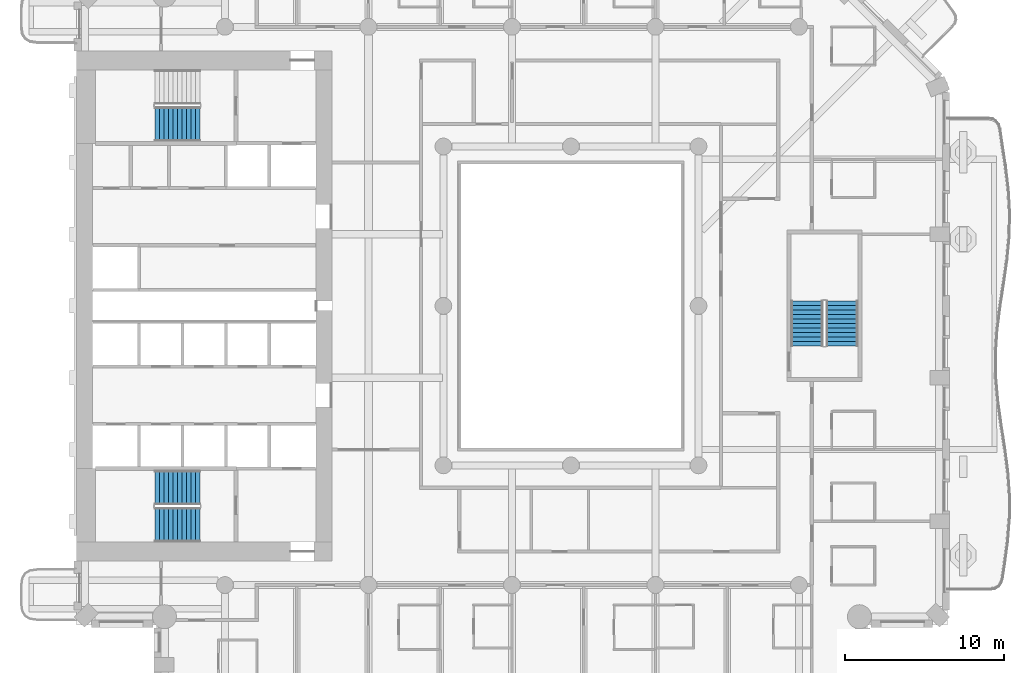
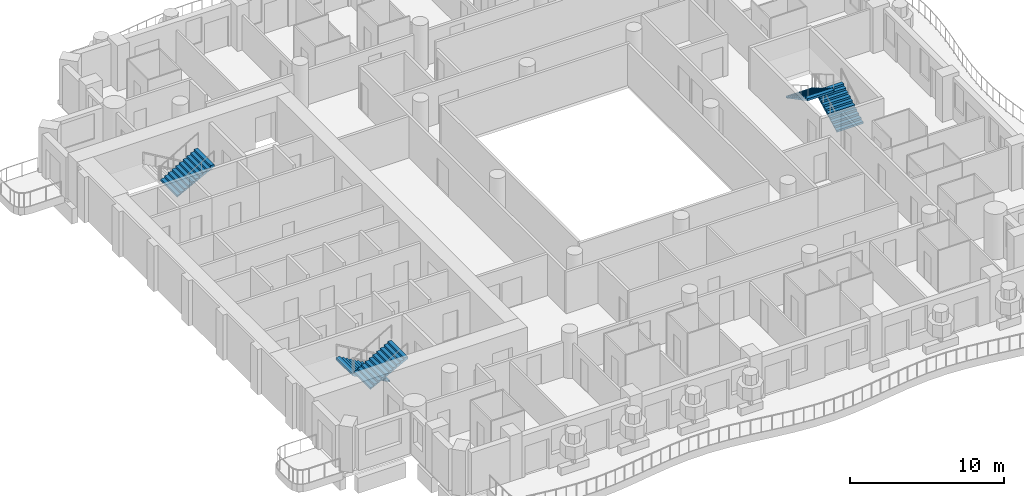
# One storey, part 11 of 20: 5 stair flights, 3 elements without a shape of their own.
"""IFC4 building model written with IfcOpenShell, lengths in metres."""

import ifcopenshell
import ifcopenshell.guid

model = None  # the IFC model being written
_history = None  # IfcOwnerHistory: only IFC2X3 demands one
_inside = {}  # id of a spatial element -> (the spatial element, [elements in it])
_under = {}  # id of a project, library or spatial element -> (it, [spatial elements below it])
_declared = {}  # id of a project -> (the project, [libraries it declares])
_typed = {}  # id of a type object -> (the type object, [elements of that type])
_made_of = {}  # id of a material, layer set ... -> (it, [elements and type objects made of it])


def new_model(schema):
    """Start an empty IFC model of exactly this schema.

    Asked for "IFC4X3", IfcOpenShell would pick the latest addendum, in which some entities
    have other attributes; the version numbers below select the first issue.
    IFC2X3 requires an IfcOwnerHistory on every rooted entity: one is made here for all.
    """
    global model, _history
    if schema == "IFC4X3":
        model = ifcopenshell.file(schema_version=(4, 3, 0, 0))
    else:
        model = ifcopenshell.file(schema=schema)
    _inside.clear()
    _under.clear()
    _declared.clear()
    _typed.clear()
    _made_of.clear()
    _history = None
    if model.schema == "IFC2X3":
        org = make("IfcOrganization", Name="unknown")
        user = make(
            "IfcPersonAndOrganization",
            ThePerson=make("IfcPerson", FamilyName="unknown"),
            TheOrganization=org,
        )
        app = make(
            "IfcApplication",
            ApplicationDeveloper=org,
            Version="unknown",
            ApplicationFullName="unknown",
            ApplicationIdentifier="unknown",
        )
        _history = make(
            "IfcOwnerHistory",
            OwningUser=user,
            OwningApplication=app,
            ChangeAction="ADDED",
            CreationDate=0,
        )
    return model


def make(cls, **values):
    """One entity of the class cls with the attributes given. An attribute that is None is left unset."""
    return model.create_entity(
        cls, **{name: value for name, value in values.items() if value is not None}
    )


def rooted(cls, **values):
    """An entity with a GlobalId (a new one), such as an element, a storey or a relation."""
    return make(cls, GlobalId=ifcopenshell.guid.new(), OwnerHistory=_history, **values)


def si_unit(unit_type, name, prefix=None):
    """IfcSIUnit, for example si_unit("LENGTHUNIT", "METRE", prefix="MILLI")."""
    return make("IfcSIUnit", UnitType=unit_type, Prefix=prefix, Name=name)


def assignment(units):
    """IfcUnitAssignment: the units of a project."""
    return None if units is None else make("IfcUnitAssignment", Units=units)


def point(xyz):
    """IfcCartesianPoint."""
    return None if xyz is None else make("IfcCartesianPoint", Coordinates=xyz)


def direction(xyz):
    """IfcDirection."""
    return None if xyz is None else make("IfcDirection", DirectionRatios=xyz)


def frame(location, z_axis=None, x_axis=None):
    """IfcAxis2Placement3D, a coordinate frame: its origin and axes. An axis left out is left unset."""
    return make(
        "IfcAxis2Placement3D",
        Location=point(location),
        Axis=direction(z_axis),
        RefDirection=direction(x_axis),
    )


def origin():
    """The frame at (0, 0, 0) with its axes left unset."""
    return frame((0.0, 0.0, 0.0))


def place(relative_to, where):
    """IfcLocalPlacement: puts the frame where relative to a parent placement (None: the world)."""
    return make(
        "IfcLocalPlacement", PlacementRelTo=relative_to, RelativePlacement=where
    )


def context(
    kind, dimensions, precision=None, world=None, true_north=None, identifier=None
):
    """IfcGeometricRepresentationContext, for example the 3D "Model" context."""
    return make(
        "IfcGeometricRepresentationContext",
        ContextIdentifier=identifier,
        ContextType=kind,
        CoordinateSpaceDimension=dimensions,
        Precision=precision,
        WorldCoordinateSystem=world,
        TrueNorth=true_north,
    )


def subcontext(parent, identifier, kind, view, scale=None):
    """IfcGeometricRepresentationSubContext, for example "Body" below "Model"."""
    return make(
        "IfcGeometricRepresentationSubContext",
        ContextIdentifier=identifier,
        ContextType=kind,
        ParentContext=parent,
        TargetScale=scale,
        TargetView=view,
    )


def project(units=None, contexts=None):
    """IfcProject with its units and contexts."""
    return rooted(
        "IfcProject",
        Name="project",
        RepresentationContexts=contexts,
        UnitsInContext=assignment(units),
    )


def spatial(cls, under=None, at=None, **own):
    """A site, building, storey or space (cls), placed at a placement, below another one or the project."""
    s = rooted(cls, ObjectPlacement=at, **own)
    if under is not None:
        _under.setdefault(under.id(), (under, []))[1].append(s)
    return s


def point_list(points):
    """IfcCartesianPointList2D or 3D."""
    cls = (
        "IfcCartesianPointList2D" if len(points[0]) == 2 else "IfcCartesianPointList3D"
    )
    return make(cls, CoordList=points)


def triangles(points, corners, closed=None, point_numbers=None):
    """IfcTriangulatedFaceSet: each triangle names its three corners, points numbered from 1."""
    return make(
        "IfcTriangulatedFaceSet",
        Coordinates=point_list(points),
        Closed=closed,
        CoordIndex=corners,
        PnIndex=point_numbers,
    )


def shape(context_of_items, identifier, shape_type, items):
    """IfcShapeRepresentation: the items that make up one representation, for example the "Body"."""
    return make(
        "IfcShapeRepresentation",
        ContextOfItems=context_of_items,
        RepresentationIdentifier=identifier,
        RepresentationType=shape_type,
        Items=items,
    )


def material(Name=None, Category=None):
    """IfcMaterial."""
    return make("IfcMaterial", Name=Name, Category=Category)


def made_of(thing, what):
    """Note that an element or type object is made of a material, layer set ...; save() writes the relation."""
    if what is not None:
        _made_of.setdefault(what.id(), (what, []))[1].append(thing)
    return thing


def type_object(cls, material=None, **own):
    """A type object (cls), such as IfcWallType, which elements share."""
    return made_of(rooted(cls, **own), material)


def element(
    cls,
    number,
    at=None,
    inside=None,
    cuts=None,
    type_object=None,
    material=None,
    context=None,
    identifier="Body",
    shape_type=None,
    held_by="IfcProductDefinitionShape",
    body=None,
    shapes=None,
    **own,
):
    """One element of the class cls, such as IfcWall. Its Tag is "e" and its number.

    at: its placement. inside: the storey or other place that contains it. cuts: it is an
    opening in that element (IfcRelVoidsElement). A single representation is given by context,
    identifier, shape_type and body (its items); several are given by shapes. held_by: the class
    of the entity that holds the representations. save() writes the other relations.
    """
    e = rooted(cls, Tag="e%d" % number, ObjectPlacement=at, **own)
    if body is not None:
        shapes = [shape(context, identifier, shape_type, body)]
    if shapes is not None:
        e.Representation = make(held_by, Representations=shapes)
    if inside is not None:
        _inside.setdefault(inside.id(), (inside, []))[1].append(e)
    if cuts is not None:
        rooted(
            "IfcRelVoidsElement", RelatingBuildingElement=cuts, RelatedOpeningElement=e
        )
    if type_object is not None:
        _typed.setdefault(type_object.id(), (type_object, []))[1].append(e)
    return made_of(e, material)


def aggregate(whole, parts):
    """IfcRelAggregates: a whole, such as a stair, and the parts it consists of."""
    return rooted("IfcRelAggregates", RelatingObject=whole, RelatedObjects=parts)


def save(model, path):
    """Write the relations noted so far, then the file.

    IfcRelAggregates (storeys below a building ...), IfcRelContainedInSpatialStructure (elements
    in a storey), IfcRelDefinesByType, IfcRelAssociatesMaterial and IfcRelDeclares: one each for
    every whole, place, type object, material and project.
    """
    for whole, parts in _under.values():
        aggregate(whole, parts)
    for where, things in _inside.values():
        rooted(
            "IfcRelContainedInSpatialStructure",
            RelatedElements=things,
            RelatingStructure=where,
        )
    for kind, things in _typed.values():
        rooted("IfcRelDefinesByType", RelatedObjects=things, RelatingType=kind)
    for what, things in _made_of.values():
        rooted("IfcRelAssociatesMaterial", RelatedObjects=things, RelatingMaterial=what)
    for by, libraries in _declared.values():
        rooted("IfcRelDeclares", RelatingContext=by, RelatedDefinitions=libraries)
    model.write(path)


model = new_model("IFC4")

# Units and contexts
model_context = context("Model", 3, precision=1e-05, world=origin(), true_north=direction((0.0, 1.0)))
body_context = subcontext(model_context, "Body", "Model", "MODEL_VIEW")
ifc_project = project(units=[si_unit("LENGTHUNIT", "METRE"), si_unit("AREAUNIT", "SQUARE_METRE"), si_unit("VOLUMEUNIT", "CUBIC_METRE"), si_unit("PLANEANGLEUNIT", "RADIAN"), si_unit("MASSUNIT", "GRAM", prefix="KILO")], contexts=[model_context])

# Site, building, storey
site_placement = place(None, origin())
site = spatial("IfcSite", under=ifc_project, at=site_placement, CompositionType="ELEMENT")
building_placement = place(site_placement, origin())
building = spatial("IfcBuilding", under=site, at=building_placement, Name="Cypress Arch Tower", CompositionType="ELEMENT")
storey_placement = place(building_placement, frame((0.0, 0.0, 113.10009765625)))
storey = spatial("IfcBuildingStorey", under=building, at=storey_placement, Name="L23", CompositionType="ELEMENT", Elevation=113.10009765625)

# Stair, stair flights
ifc_material_1 = material(Name="Concrete C40/50", Category="concrete")
stair_type_1 = type_object("IfcStairType", Name="Exit stair ES1636-200", PredefinedType="HALF_TURN_STAIR", material=ifc_material_1)
stair_1_placement = place(storey_placement, origin())
stair_1 = element("IfcStair", 1, at=stair_1_placement, inside=storey, type_object=stair_type_1, Name="L23 Exit stair C", PredefinedType="HALF_TURN_STAIR")
ifc_material_2 = material(Name="Concrete C40/50", Category="concrete")
stair_flight_type_1 = type_object("IfcStairFlightType", Name="Exit stair flight ES1636-200", PredefinedType="STRAIGHT", material=ifc_material_2)
stair_flight_1_placement = place(storey_placement, frame((18.0, -2.5, 0.0), z_axis=(0.0, 0.0, 1.0), x_axis=(0.0, 1.0, 0.0)))
stair_flight_1 = element("IfcStairFlight", 2, at=stair_flight_1_placement, type_object=stair_flight_type_1, Name="C flight 1", NumberOfRisers=11, NumberOfTreads=10, PredefinedType="STRAIGHT", RiserHeight=0.163636364, TreadLength=0.28, context=body_context, shape_type="Tessellation", body=[
    triangles([(0.0, -1.0, 0.0), (0.00048828125, -1.0, 0.054443359375), (0.00048828125, -1.0, 0.109130859375), (0.0, -1.0, 0.16357421875), (0.280029296875, -1.0, 0.16357421875), (0.280029296875, -1.0, 0.327392578125), (0.56005859375, -1.0, 0.327392578125), (0.56005859375, -1.0, 0.490966796875), (0.840087890625, -1.0, 0.490966796875), (0.840087890625, -1.0, 0.654541015625), (1.1201171875, -1.0, 0.654541015625), (1.1201171875, -1.0, 0.818115234375), (1.39990234375, -1.0, 0.818115234375), (1.39990234375, -1.0, 0.98193359375), (1.679931640625, -1.0, 0.98193359375), (1.679931640625, -1.0, 1.1455078125), (1.9599609375, -1.0, 1.1455078125), (1.9599609375, -1.0, 1.30908203125), (2.239990234375, -1.0, 1.30908203125), (2.239990234375, -1.0, 1.47265625), (2.52001953125, -1.0, 1.47265625), (2.52001953125, -1.0, 1.636474609375), (2.800048828125, -1.0, 1.636474609375), (2.799560546875, -1.0, 1.57861328125), (2.799560546875, -1.0, 1.5205078125), (2.800048828125, -1.0, 1.462646484375), (2.800048828125, 1.0, 1.462646484375), (2.799560546875, 1.0, 1.5205078125), (2.799560546875, 1.0, 1.57861328125), (2.800048828125, 1.0, 1.636474609375), (2.52001953125, 1.0, 1.636474609375), (2.52001953125, 1.0, 1.47265625), (2.239990234375, 1.0, 1.47265625), (2.239990234375, 1.0, 1.30908203125), (1.9599609375, 1.0, 1.30908203125), (1.9599609375, 1.0, 1.1455078125), (1.679931640625, 1.0, 1.1455078125), (1.679931640625, 1.0, 0.98193359375), (1.39990234375, 1.0, 0.98193359375), (1.39990234375, 1.0, 0.818115234375), (1.1201171875, 1.0, 0.818115234375), (1.1201171875, 1.0, 0.654541015625), (0.840087890625, 1.0, 0.654541015625), (0.840087890625, 1.0, 0.490966796875), (0.56005859375, 1.0, 0.490966796875), (0.56005859375, 1.0, 0.327392578125), (0.280029296875, 1.0, 0.327392578125), (0.280029296875, 1.0, 0.16357421875), (0.0, 1.0, 0.16357421875), (0.00048828125, 1.0, 0.109130859375), (0.00048828125, 1.0, 0.054443359375), (0.0, 1.0, 0.0), (2.799560546875, 0.0, 1.5205078125), (2.800048828125, 0.0, 1.462646484375), (2.799560546875, 0.0, 1.57861328125), (2.800048828125, 0.0, 1.636474609375), (2.52001953125, 0.0, 1.636474609375), (2.52001953125, 0.0, 1.47265625), (2.239990234375, 0.0, 1.47265625), (2.239990234375, 0.0, 1.30908203125), (1.9599609375, 0.0, 1.30908203125), (1.9599609375, 0.0, 1.1455078125), (1.679931640625, 0.0, 1.1455078125), (1.679931640625, 0.0, 0.98193359375), (1.39990234375, 0.0, 0.98193359375), (1.39990234375, 0.0, 0.818115234375), (1.1201171875, 0.0, 0.818115234375), (1.1201171875, 0.0, 0.654541015625), (0.840087890625, 0.0, 0.654541015625), (0.840087890625, 0.0, 0.490966796875), (0.56005859375, 0.0, 0.490966796875), (0.56005859375, 0.0, 0.327392578125), (0.280029296875, 0.0, 0.327392578125), (0.280029296875, 0.0, 0.16357421875), (0.0, 0.0, 0.16357421875), (0.00048828125, 0.0, 0.109130859375), (0.00048828125, 0.0, 0.054443359375), (0.0, 0.0, 0.0)], [[26, 25, 22], [25, 24, 22], [24, 23, 22], [15, 14, 13], [7, 6, 5], [13, 12, 11], [21, 20, 19], [19, 18, 17], [17, 16, 15], [11, 10, 9], [9, 8, 7], [4, 3, 5], [3, 2, 5], [2, 1, 5], [26, 22, 21], [26, 21, 19], [26, 19, 17], [26, 17, 15], [26, 15, 13], [26, 13, 11], [26, 11, 9], [26, 9, 7], [26, 7, 5], [26, 5, 1], [27, 31, 28], [28, 31, 29], [29, 31, 30], [38, 40, 39], [46, 48, 47], [40, 42, 41], [32, 34, 33], [34, 36, 35], [36, 38, 37], [42, 44, 43], [44, 46, 45], [49, 48, 50], [50, 48, 51], [51, 48, 52], [27, 32, 31], [27, 34, 32], [27, 36, 34], [27, 38, 36], [27, 40, 38], [27, 42, 40], [27, 44, 42], [27, 46, 44], [27, 48, 46], [27, 52, 48], [54, 53, 25], [54, 25, 26], [27, 28, 53], [27, 53, 54], [53, 55, 24], [53, 24, 25], [28, 29, 55], [28, 55, 53], [55, 56, 23], [55, 23, 24], [29, 30, 56], [29, 56, 55], [56, 57, 22], [56, 22, 23], [30, 31, 57], [30, 57, 56], [57, 58, 21], [57, 21, 22], [31, 32, 58], [31, 58, 57], [58, 59, 20], [58, 20, 21], [32, 33, 59], [32, 59, 58], [59, 60, 19], [59, 19, 20], [33, 34, 60], [33, 60, 59], [60, 61, 18], [60, 18, 19], [34, 35, 61], [34, 61, 60], [61, 62, 17], [61, 17, 18], [35, 36, 62], [35, 62, 61], [62, 63, 16], [62, 16, 17], [36, 37, 63], [36, 63, 62], [63, 64, 15], [63, 15, 16], [37, 38, 64], [37, 64, 63], [64, 65, 14], [64, 14, 15], [38, 39, 65], [38, 65, 64], [65, 66, 13], [65, 13, 14], [39, 40, 66], [39, 66, 65], [66, 67, 12], [66, 12, 13], [40, 41, 67], [40, 67, 66], [67, 68, 11], [67, 11, 12], [41, 42, 68], [41, 68, 67], [68, 69, 10], [68, 10, 11], [42, 43, 69], [42, 69, 68], [69, 70, 9], [69, 9, 10], [43, 44, 70], [43, 70, 69], [70, 71, 8], [70, 8, 9], [44, 45, 71], [44, 71, 70], [71, 72, 7], [71, 7, 8], [45, 46, 72], [45, 72, 71], [72, 73, 6], [72, 6, 7], [46, 47, 73], [46, 73, 72], [73, 74, 5], [73, 5, 6], [47, 48, 74], [47, 74, 73], [74, 75, 4], [74, 4, 5], [48, 49, 75], [48, 75, 74], [75, 76, 3], [75, 3, 4], [49, 50, 76], [49, 76, 75], [76, 77, 2], [76, 2, 3], [50, 51, 77], [50, 77, 76], [77, 78, 1], [77, 1, 2], [51, 52, 78], [51, 78, 77], [78, 54, 26], [78, 26, 1], [52, 27, 54], [52, 54, 78]], closed=True),
])
stair_flight_2_placement = place(storey_placement, frame((15.800048828125, 0.300048828125, 1.7998046875), z_axis=(0.0, 0.0, 1.0), x_axis=(0.0, -1.0, 0.0)))
stair_flight_2 = element("IfcStairFlight", 3, at=stair_flight_2_placement, type_object=stair_flight_type_1, Name="C flight 2", NumberOfRisers=11, NumberOfTreads=10, PredefinedType="STRAIGHT", RiserHeight=0.163636364, TreadLength=0.28, context=body_context, shape_type="Tessellation", body=[
    triangles([(0.0, -1.0, 0.0), (0.00048828125, -1.0, 0.054443359375), (0.00048828125, -1.0, 0.109130859375), (0.0, -1.0, 0.16357421875), (0.280029296875, -1.0, 0.16357421875), (0.280029296875, -1.0, 0.327392578125), (0.56005859375, -1.0, 0.327392578125), (0.56005859375, -1.0, 0.490966796875), (0.840087890625, -1.0, 0.490966796875), (0.840087890625, -1.0, 0.654541015625), (1.1201171875, -1.0, 0.654541015625), (1.1201171875, -1.0, 0.818115234375), (1.39990234375, -1.0, 0.818115234375), (1.39990234375, -1.0, 0.98193359375), (1.679931640625, -1.0, 0.98193359375), (1.679931640625, -1.0, 1.1455078125), (1.9599609375, -1.0, 1.1455078125), (1.9599609375, -1.0, 1.30908203125), (2.239990234375, -1.0, 1.30908203125), (2.239990234375, -1.0, 1.47265625), (2.52001953125, -1.0, 1.47265625), (2.52001953125, -1.0, 1.636474609375), (2.800048828125, -1.0, 1.636474609375), (2.799560546875, -1.0, 1.57861328125), (2.799560546875, -1.0, 1.5205078125), (2.800048828125, -1.0, 1.462646484375), (2.800048828125, 1.0, 1.462646484375), (2.799560546875, 1.0, 1.5205078125), (2.799560546875, 1.0, 1.57861328125), (2.800048828125, 1.0, 1.636474609375), (2.52001953125, 1.0, 1.636474609375), (2.52001953125, 1.0, 1.47265625), (2.239990234375, 1.0, 1.47265625), (2.239990234375, 1.0, 1.30908203125), (1.9599609375, 1.0, 1.30908203125), (1.9599609375, 1.0, 1.1455078125), (1.679931640625, 1.0, 1.1455078125), (1.679931640625, 1.0, 0.98193359375), (1.39990234375, 1.0, 0.98193359375), (1.39990234375, 1.0, 0.818115234375), (1.1201171875, 1.0, 0.818115234375), (1.1201171875, 1.0, 0.654541015625), (0.840087890625, 1.0, 0.654541015625), (0.840087890625, 1.0, 0.490966796875), (0.56005859375, 1.0, 0.490966796875), (0.56005859375, 1.0, 0.327392578125), (0.280029296875, 1.0, 0.327392578125), (0.280029296875, 1.0, 0.16357421875), (0.0, 1.0, 0.16357421875), (0.00048828125, 1.0, 0.109130859375), (0.00048828125, 1.0, 0.054443359375), (0.0, 1.0, 0.0), (2.799560546875, 0.0, 1.5205078125), (2.800048828125, 0.0, 1.462646484375), (2.799560546875, 0.0, 1.57861328125), (2.800048828125, 0.0, 1.636474609375), (2.52001953125, 0.0, 1.636474609375), (2.52001953125, 0.0, 1.47265625), (2.239990234375, 0.0, 1.47265625), (2.239990234375, 0.0, 1.30908203125), (1.9599609375, 0.0, 1.30908203125), (1.9599609375, 0.0, 1.1455078125), (1.679931640625, 0.0, 1.1455078125), (1.679931640625, 0.0, 0.98193359375), (1.39990234375, 0.0, 0.98193359375), (1.39990234375, 0.0, 0.818115234375), (1.1201171875, 0.0, 0.818115234375), (1.1201171875, 0.0, 0.654541015625), (0.840087890625, 0.0, 0.654541015625), (0.840087890625, 0.0, 0.490966796875), (0.56005859375, 0.0, 0.490966796875), (0.56005859375, 0.0, 0.327392578125), (0.280029296875, 0.0, 0.327392578125), (0.280029296875, 0.0, 0.16357421875), (0.0, 0.0, 0.16357421875), (0.00048828125, 0.0, 0.109130859375), (0.00048828125, 0.0, 0.054443359375), (0.0, 0.0, 0.0)], [[26, 25, 22], [25, 24, 22], [24, 23, 22], [15, 14, 13], [7, 6, 5], [13, 12, 11], [21, 20, 19], [19, 18, 17], [17, 16, 15], [11, 10, 9], [9, 8, 7], [4, 3, 5], [3, 2, 5], [2, 1, 5], [26, 22, 21], [26, 21, 19], [26, 19, 17], [26, 17, 15], [26, 15, 13], [26, 13, 11], [26, 11, 9], [26, 9, 7], [26, 7, 5], [26, 5, 1], [27, 31, 28], [28, 31, 29], [29, 31, 30], [38, 40, 39], [46, 48, 47], [40, 42, 41], [32, 34, 33], [34, 36, 35], [36, 38, 37], [42, 44, 43], [44, 46, 45], [49, 48, 50], [50, 48, 51], [51, 48, 52], [27, 32, 31], [27, 34, 32], [27, 36, 34], [27, 38, 36], [27, 40, 38], [27, 42, 40], [27, 44, 42], [27, 46, 44], [27, 48, 46], [27, 52, 48], [54, 53, 25], [54, 25, 26], [27, 28, 53], [27, 53, 54], [53, 55, 24], [53, 24, 25], [28, 29, 55], [28, 55, 53], [55, 56, 23], [55, 23, 24], [29, 30, 56], [29, 56, 55], [56, 57, 22], [56, 22, 23], [30, 31, 57], [30, 57, 56], [57, 58, 21], [57, 21, 22], [31, 32, 58], [31, 58, 57], [58, 59, 20], [58, 20, 21], [32, 33, 59], [32, 59, 58], [59, 60, 19], [59, 19, 20], [33, 34, 60], [33, 60, 59], [60, 61, 18], [60, 18, 19], [34, 35, 61], [34, 61, 60], [61, 62, 17], [61, 17, 18], [35, 36, 62], [35, 62, 61], [62, 63, 16], [62, 16, 17], [36, 37, 63], [36, 63, 62], [63, 64, 15], [63, 15, 16], [37, 38, 64], [37, 64, 63], [64, 65, 14], [64, 14, 15], [38, 39, 65], [38, 65, 64], [65, 66, 13], [65, 13, 14], [39, 40, 66], [39, 66, 65], [66, 67, 12], [66, 12, 13], [40, 41, 67], [40, 67, 66], [67, 68, 11], [67, 11, 12], [41, 42, 68], [41, 68, 67], [68, 69, 10], [68, 10, 11], [42, 43, 69], [42, 69, 68], [69, 70, 9], [69, 9, 10], [43, 44, 70], [43, 70, 69], [70, 71, 8], [70, 8, 9], [44, 45, 71], [44, 71, 70], [71, 72, 7], [71, 7, 8], [45, 46, 72], [45, 72, 71], [72, 73, 6], [72, 6, 7], [46, 47, 73], [46, 73, 72], [73, 74, 5], [73, 5, 6], [47, 48, 74], [47, 74, 73], [74, 75, 4], [74, 4, 5], [48, 49, 75], [48, 75, 74], [75, 76, 3], [75, 3, 4], [49, 50, 76], [49, 76, 75], [76, 77, 2], [76, 2, 3], [50, 51, 77], [50, 77, 76], [77, 78, 1], [77, 1, 2], [51, 52, 78], [51, 78, 77], [78, 54, 26], [78, 26, 1], [52, 27, 54], [52, 54, 78]], closed=True),
])
aggregate(stair_1, [stair_flight_1, stair_flight_2])

ifc_material_3 = material(Name="Concrete C40/50", Category="concrete")
stair_type_2 = type_object("IfcStairType", Name="Exit stair ES1636-215", PredefinedType="HALF_TURN_STAIR", material=ifc_material_3)
stair_2_placement = place(storey_placement, origin())
stair_2 = element("IfcStair", 4, at=stair_2_placement, inside=storey, type_object=stair_type_2, Name="L23 Exit stair A", PredefinedType="HALF_TURN_STAIR")
ifc_material_4 = material(Name="Concrete C40/50", Category="concrete")
stair_flight_type_2 = type_object("IfcStairFlightType", Name="Exit stair flight ES1636-215", PredefinedType="STRAIGHT", material=ifc_material_4)
stair_flight_3_placement = place(storey_placement, frame((-22.27490234375, -11.39990234375, 0.0), z_axis=(0.0, 0.0, 1.0), x_axis=(-1.0, 0.0, 0.0)))
stair_flight_3 = element("IfcStairFlight", 5, at=stair_flight_3_placement, type_object=stair_flight_type_2, Name="A flight 1", NumberOfRisers=11, NumberOfTreads=10, PredefinedType="STRAIGHT", RiserHeight=0.163636364, TreadLength=0.28, context=body_context, shape_type="Tessellation", body=[
    triangles([(0.0, -1.074951171875, 0.0), (0.000244140625, -1.074951171875, 0.03271484375), (0.00048828125, -1.074951171875, 0.0654296875), (0.00048828125, -1.074951171875, 0.09814453125), (0.000244140625, -1.074951171875, 0.130859375), (0.0, -1.074951171875, 0.16357421875), (0.280029296875, -1.074951171875, 0.16357421875), (0.280029296875, -1.074951171875, 0.327392578125), (0.56005859375, -1.074951171875, 0.327392578125), (0.56005859375, -1.074951171875, 0.490966796875), (0.840087890625, -1.074951171875, 0.490966796875), (0.840087890625, -1.074951171875, 0.654541015625), (1.1201171875, -1.074951171875, 0.654541015625), (1.1201171875, -1.074951171875, 0.818115234375), (1.39990234375, -1.074951171875, 0.818115234375), (1.39990234375, -1.074951171875, 0.98193359375), (1.679931640625, -1.074951171875, 0.98193359375), (1.679931640625, -1.074951171875, 1.1455078125), (1.9599609375, -1.074951171875, 1.1455078125), (1.9599609375, -1.074951171875, 1.30908203125), (2.239990234375, -1.074951171875, 1.30908203125), (2.239990234375, -1.074951171875, 1.47265625), (2.52001953125, -1.074951171875, 1.47265625), (2.52001953125, -1.074951171875, 1.636474609375), (2.800048828125, -1.074951171875, 1.636474609375), (2.7998046875, -1.074951171875, 1.601806640625), (2.799560546875, -1.074951171875, 1.56689453125), (2.799560546875, -1.074951171875, 1.5322265625), (2.7998046875, -1.074951171875, 1.497314453125), (2.800048828125, -1.074951171875, 1.462646484375), (2.800048828125, 1.074951171875, 1.462646484375), (2.7998046875, 1.074951171875, 1.497314453125), (2.799560546875, 1.074951171875, 1.5322265625), (2.799560546875, 1.074951171875, 1.56689453125), (2.7998046875, 1.074951171875, 1.601806640625), (2.800048828125, 1.074951171875, 1.636474609375), (2.52001953125, 1.074951171875, 1.636474609375), (2.52001953125, 1.074951171875, 1.47265625), (2.239990234375, 1.074951171875, 1.47265625), (2.239990234375, 1.074951171875, 1.30908203125), (1.9599609375, 1.074951171875, 1.30908203125), (1.9599609375, 1.074951171875, 1.1455078125), (1.679931640625, 1.074951171875, 1.1455078125), (1.679931640625, 1.074951171875, 0.98193359375), (1.39990234375, 1.074951171875, 0.98193359375), (1.39990234375, 1.074951171875, 0.818115234375), (1.1201171875, 1.074951171875, 0.818115234375), (1.1201171875, 1.074951171875, 0.654541015625), (0.840087890625, 1.074951171875, 0.654541015625), (0.840087890625, 1.074951171875, 0.490966796875), (0.56005859375, 1.074951171875, 0.490966796875), (0.56005859375, 1.074951171875, 0.327392578125), (0.280029296875, 1.074951171875, 0.327392578125), (0.280029296875, 1.074951171875, 0.16357421875), (0.0, 1.074951171875, 0.16357421875), (0.000244140625, 1.074951171875, 0.130859375), (0.00048828125, 1.074951171875, 0.09814453125), (0.00048828125, 1.074951171875, 0.0654296875), (0.000244140625, 1.074951171875, 0.03271484375), (0.0, 1.074951171875, 0.0), (2.7998046875, 0.0, 1.497314453125), (2.800048828125, 0.0, 1.462646484375), (2.799560546875, 0.0, 1.5322265625), (2.799560546875, 0.0, 1.56689453125), (2.7998046875, 0.0, 1.601806640625), (2.800048828125, 0.0, 1.636474609375), (2.52001953125, 0.0, 1.636474609375), (2.52001953125, 0.0, 1.47265625), (2.239990234375, 0.0, 1.47265625), (2.239990234375, 0.0, 1.30908203125), (1.9599609375, 0.0, 1.30908203125), (1.9599609375, 0.0, 1.1455078125), (1.679931640625, 0.0, 1.1455078125), (1.679931640625, 0.0, 0.98193359375), (1.39990234375, 0.0, 0.98193359375), (1.39990234375, 0.0, 0.818115234375), (1.1201171875, 0.0, 0.818115234375), (1.1201171875, 0.0, 0.654541015625), (0.840087890625, 0.0, 0.654541015625), (0.840087890625, 0.0, 0.490966796875), (0.56005859375, 0.0, 0.490966796875), (0.56005859375, 0.0, 0.327392578125), (0.280029296875, 0.0, 0.327392578125), (0.280029296875, 0.0, 0.16357421875), (0.0, 0.0, 0.16357421875), (0.000244140625, 0.0, 0.130859375), (0.00048828125, 0.0, 0.09814453125), (0.00048828125, 0.0, 0.0654296875), (0.000244140625, 0.0, 0.03271484375), (0.0, 0.0, 0.0)], [[30, 29, 24], [29, 28, 24], [28, 27, 24], [27, 26, 24], [26, 25, 24], [17, 16, 15], [9, 8, 7], [15, 14, 13], [23, 22, 21], [21, 20, 19], [19, 18, 17], [13, 12, 11], [11, 10, 9], [6, 5, 7], [5, 4, 7], [4, 3, 7], [3, 2, 7], [2, 1, 7], [30, 24, 23], [30, 23, 21], [30, 21, 19], [30, 19, 17], [30, 17, 15], [30, 15, 13], [30, 13, 11], [30, 11, 9], [30, 9, 7], [30, 7, 1], [31, 37, 32], [32, 37, 33], [33, 37, 34], [34, 37, 35], [35, 37, 36], [44, 46, 45], [52, 54, 53], [46, 48, 47], [38, 40, 39], [40, 42, 41], [42, 44, 43], [48, 50, 49], [50, 52, 51], [55, 54, 56], [56, 54, 57], [57, 54, 58], [58, 54, 59], [59, 54, 60], [31, 38, 37], [31, 40, 38], [31, 42, 40], [31, 44, 42], [31, 46, 44], [31, 48, 46], [31, 50, 48], [31, 52, 50], [31, 54, 52], [31, 60, 54], [62, 61, 29], [62, 29, 30], [31, 32, 61], [31, 61, 62], [61, 63, 28], [61, 28, 29], [32, 33, 63], [32, 63, 61], [63, 64, 27], [63, 27, 28], [33, 34, 64], [33, 64, 63], [64, 65, 26], [64, 26, 27], [34, 35, 65], [34, 65, 64], [65, 66, 25], [65, 25, 26], [35, 36, 66], [35, 66, 65], [66, 67, 24], [66, 24, 25], [36, 37, 67], [36, 67, 66], [67, 68, 23], [67, 23, 24], [37, 38, 68], [37, 68, 67], [68, 69, 22], [68, 22, 23], [38, 39, 69], [38, 69, 68], [69, 70, 21], [69, 21, 22], [39, 40, 70], [39, 70, 69], [70, 71, 20], [70, 20, 21], [40, 41, 71], [40, 71, 70], [71, 72, 19], [71, 19, 20], [41, 42, 72], [41, 72, 71], [72, 73, 18], [72, 18, 19], [42, 43, 73], [42, 73, 72], [73, 74, 17], [73, 17, 18], [43, 44, 74], [43, 74, 73], [74, 75, 16], [74, 16, 17], [44, 45, 75], [44, 75, 74], [75, 76, 15], [75, 15, 16], [45, 46, 76], [45, 76, 75], [76, 77, 14], [76, 14, 15], [46, 47, 77], [46, 77, 76], [77, 78, 13], [77, 13, 14], [47, 48, 78], [47, 78, 77], [78, 79, 12], [78, 12, 13], [48, 49, 79], [48, 79, 78], [79, 80, 11], [79, 11, 12], [49, 50, 80], [49, 80, 79], [80, 81, 10], [80, 10, 11], [50, 51, 81], [50, 81, 80], [81, 82, 9], [81, 9, 10], [51, 52, 82], [51, 82, 81], [82, 83, 8], [82, 8, 9], [52, 53, 83], [52, 83, 82], [83, 84, 7], [83, 7, 8], [53, 54, 84], [53, 84, 83], [84, 85, 6], [84, 6, 7], [54, 55, 85], [54, 85, 84], [85, 86, 5], [85, 5, 6], [55, 56, 86], [55, 86, 85], [86, 87, 4], [86, 4, 5], [56, 57, 87], [56, 87, 86], [87, 88, 3], [87, 3, 4], [57, 58, 88], [57, 88, 87], [88, 89, 2], [88, 2, 3], [58, 59, 89], [58, 89, 88], [89, 90, 1], [89, 1, 2], [59, 60, 90], [59, 90, 89], [90, 62, 30], [90, 30, 1], [60, 31, 62], [60, 62, 90]], closed=True),
])
stair_flight_4_placement = place(storey_placement, frame((-25.074951171875, -13.72509765625, 1.7998046875), z_axis=(0.0, 0.0, 1.0), x_axis=(1.0, 0.0, 0.0)))
stair_flight_4 = element("IfcStairFlight", 6, at=stair_flight_4_placement, type_object=stair_flight_type_2, Name="A flight 2", NumberOfRisers=11, NumberOfTreads=10, PredefinedType="STRAIGHT", RiserHeight=0.163636364, TreadLength=0.28, context=body_context, shape_type="Tessellation", body=[
    triangles([(0.0, -1.074951171875, 0.0), (0.000244140625, -1.074951171875, 0.03271484375), (0.00048828125, -1.074951171875, 0.0654296875), (0.00048828125, -1.074951171875, 0.09814453125), (0.000244140625, -1.074951171875, 0.130859375), (0.0, -1.074951171875, 0.16357421875), (0.280029296875, -1.074951171875, 0.16357421875), (0.280029296875, -1.074951171875, 0.327392578125), (0.56005859375, -1.074951171875, 0.327392578125), (0.56005859375, -1.074951171875, 0.490966796875), (0.840087890625, -1.074951171875, 0.490966796875), (0.840087890625, -1.074951171875, 0.654541015625), (1.1201171875, -1.074951171875, 0.654541015625), (1.1201171875, -1.074951171875, 0.818115234375), (1.39990234375, -1.074951171875, 0.818115234375), (1.39990234375, -1.074951171875, 0.98193359375), (1.679931640625, -1.074951171875, 0.98193359375), (1.679931640625, -1.074951171875, 1.1455078125), (1.9599609375, -1.074951171875, 1.1455078125), (1.9599609375, -1.074951171875, 1.30908203125), (2.239990234375, -1.074951171875, 1.30908203125), (2.239990234375, -1.074951171875, 1.47265625), (2.52001953125, -1.074951171875, 1.47265625), (2.52001953125, -1.074951171875, 1.636474609375), (2.800048828125, -1.074951171875, 1.636474609375), (2.7998046875, -1.074951171875, 1.601806640625), (2.799560546875, -1.074951171875, 1.56689453125), (2.799560546875, -1.074951171875, 1.5322265625), (2.7998046875, -1.074951171875, 1.497314453125), (2.800048828125, -1.074951171875, 1.462646484375), (2.800048828125, 1.074951171875, 1.462646484375), (2.7998046875, 1.074951171875, 1.497314453125), (2.799560546875, 1.074951171875, 1.5322265625), (2.799560546875, 1.074951171875, 1.56689453125), (2.7998046875, 1.074951171875, 1.601806640625), (2.800048828125, 1.074951171875, 1.636474609375), (2.52001953125, 1.074951171875, 1.636474609375), (2.52001953125, 1.074951171875, 1.47265625), (2.239990234375, 1.074951171875, 1.47265625), (2.239990234375, 1.074951171875, 1.30908203125), (1.9599609375, 1.074951171875, 1.30908203125), (1.9599609375, 1.074951171875, 1.1455078125), (1.679931640625, 1.074951171875, 1.1455078125), (1.679931640625, 1.074951171875, 0.98193359375), (1.39990234375, 1.074951171875, 0.98193359375), (1.39990234375, 1.074951171875, 0.818115234375), (1.1201171875, 1.074951171875, 0.818115234375), (1.1201171875, 1.074951171875, 0.654541015625), (0.840087890625, 1.074951171875, 0.654541015625), (0.840087890625, 1.074951171875, 0.490966796875), (0.56005859375, 1.074951171875, 0.490966796875), (0.56005859375, 1.074951171875, 0.327392578125), (0.280029296875, 1.074951171875, 0.327392578125), (0.280029296875, 1.074951171875, 0.16357421875), (0.0, 1.074951171875, 0.16357421875), (0.000244140625, 1.074951171875, 0.130859375), (0.00048828125, 1.074951171875, 0.09814453125), (0.00048828125, 1.074951171875, 0.0654296875), (0.000244140625, 1.074951171875, 0.03271484375), (0.0, 1.074951171875, 0.0), (2.7998046875, 0.0, 1.497314453125), (2.800048828125, 0.0, 1.462646484375), (2.799560546875, 0.0, 1.5322265625), (2.799560546875, 0.0, 1.56689453125), (2.7998046875, 0.0, 1.601806640625), (2.800048828125, 0.0, 1.636474609375), (2.52001953125, 0.0, 1.636474609375), (2.52001953125, 0.0, 1.47265625), (2.239990234375, 0.0, 1.47265625), (2.239990234375, 0.0, 1.30908203125), (1.9599609375, 0.0, 1.30908203125), (1.9599609375, 0.0, 1.1455078125), (1.679931640625, 0.0, 1.1455078125), (1.679931640625, 0.0, 0.98193359375), (1.39990234375, 0.0, 0.98193359375), (1.39990234375, 0.0, 0.818115234375), (1.1201171875, 0.0, 0.818115234375), (1.1201171875, 0.0, 0.654541015625), (0.840087890625, 0.0, 0.654541015625), (0.840087890625, 0.0, 0.490966796875), (0.56005859375, 0.0, 0.490966796875), (0.56005859375, 0.0, 0.327392578125), (0.280029296875, 0.0, 0.327392578125), (0.280029296875, 0.0, 0.16357421875), (0.0, 0.0, 0.16357421875), (0.000244140625, 0.0, 0.130859375), (0.00048828125, 0.0, 0.09814453125), (0.00048828125, 0.0, 0.0654296875), (0.000244140625, 0.0, 0.03271484375), (0.0, 0.0, 0.0)], [[30, 29, 24], [29, 28, 24], [28, 27, 24], [27, 26, 24], [26, 25, 24], [17, 16, 15], [9, 8, 7], [15, 14, 13], [23, 22, 21], [21, 20, 19], [19, 18, 17], [13, 12, 11], [11, 10, 9], [6, 5, 7], [5, 4, 7], [4, 3, 7], [3, 2, 7], [2, 1, 7], [30, 24, 23], [30, 23, 21], [30, 21, 19], [30, 19, 17], [30, 17, 15], [30, 15, 13], [30, 13, 11], [30, 11, 9], [30, 9, 7], [30, 7, 1], [31, 37, 32], [32, 37, 33], [33, 37, 34], [34, 37, 35], [35, 37, 36], [44, 46, 45], [52, 54, 53], [46, 48, 47], [38, 40, 39], [40, 42, 41], [42, 44, 43], [48, 50, 49], [50, 52, 51], [55, 54, 56], [56, 54, 57], [57, 54, 58], [58, 54, 59], [59, 54, 60], [31, 38, 37], [31, 40, 38], [31, 42, 40], [31, 44, 42], [31, 46, 44], [31, 48, 46], [31, 50, 48], [31, 52, 50], [31, 54, 52], [31, 60, 54], [62, 61, 29], [62, 29, 30], [31, 32, 61], [31, 61, 62], [61, 63, 28], [61, 28, 29], [32, 33, 63], [32, 63, 61], [63, 64, 27], [63, 27, 28], [33, 34, 64], [33, 64, 63], [64, 65, 26], [64, 26, 27], [34, 35, 65], [34, 65, 64], [65, 66, 25], [65, 25, 26], [35, 36, 66], [35, 66, 65], [66, 67, 24], [66, 24, 25], [36, 37, 67], [36, 67, 66], [67, 68, 23], [67, 23, 24], [37, 38, 68], [37, 68, 67], [68, 69, 22], [68, 22, 23], [38, 39, 69], [38, 69, 68], [69, 70, 21], [69, 21, 22], [39, 40, 70], [39, 70, 69], [70, 71, 20], [70, 20, 21], [40, 41, 71], [40, 71, 70], [71, 72, 19], [71, 19, 20], [41, 42, 72], [41, 72, 71], [72, 73, 18], [72, 18, 19], [42, 43, 73], [42, 73, 72], [73, 74, 17], [73, 17, 18], [43, 44, 74], [43, 74, 73], [74, 75, 16], [74, 16, 17], [44, 45, 75], [44, 75, 74], [75, 76, 15], [75, 15, 16], [45, 46, 76], [45, 76, 75], [76, 77, 14], [76, 14, 15], [46, 47, 77], [46, 77, 76], [77, 78, 13], [77, 13, 14], [47, 48, 78], [47, 78, 77], [78, 79, 12], [78, 12, 13], [48, 49, 79], [48, 79, 78], [79, 80, 11], [79, 11, 12], [49, 50, 80], [49, 80, 79], [80, 81, 10], [80, 10, 11], [50, 51, 81], [50, 81, 80], [81, 82, 9], [81, 9, 10], [51, 52, 82], [51, 82, 81], [82, 83, 8], [82, 8, 9], [52, 53, 83], [52, 83, 82], [83, 84, 7], [83, 7, 8], [53, 54, 84], [53, 84, 83], [84, 85, 6], [84, 6, 7], [54, 55, 85], [54, 85, 84], [85, 86, 5], [85, 5, 6], [55, 56, 86], [55, 86, 85], [86, 87, 4], [86, 4, 5], [56, 57, 87], [56, 87, 86], [87, 88, 3], [87, 3, 4], [57, 58, 88], [57, 88, 87], [88, 89, 2], [88, 2, 3], [58, 59, 89], [58, 89, 88], [89, 90, 1], [89, 1, 2], [59, 60, 90], [59, 90, 89], [90, 62, 30], [90, 30, 1], [60, 31, 62], [60, 62, 90]], closed=True),
])
aggregate(stair_2, [stair_flight_3, stair_flight_4])

# Stair, stair flight
stair_3_placement = place(storey_placement, origin())
stair_3 = element("IfcStair", 7, at=stair_3_placement, inside=storey, type_object=stair_type_2, Name="L23 Exit stair B", PredefinedType="HALF_TURN_STAIR")
stair_flight_5_placement = place(storey_placement, frame((-25.074951171875, 11.39990234375, 1.7998046875), z_axis=(0.0, 0.0, 1.0), x_axis=(1.0, 0.0, 0.0)))
stair_flight_5 = element("IfcStairFlight", 8, at=stair_flight_5_placement, type_object=stair_flight_type_2, Name="B flight 2", NumberOfRisers=11, NumberOfTreads=10, PredefinedType="STRAIGHT", RiserHeight=0.163636364, TreadLength=0.28, context=body_context, shape_type="Tessellation", body=[
    triangles([(0.0, -1.074951171875, 0.0), (0.000244140625, -1.074951171875, 0.03271484375), (0.00048828125, -1.074951171875, 0.0654296875), (0.00048828125, -1.074951171875, 0.09814453125), (0.000244140625, -1.074951171875, 0.130859375), (0.0, -1.074951171875, 0.16357421875), (0.280029296875, -1.074951171875, 0.16357421875), (0.280029296875, -1.074951171875, 0.327392578125), (0.56005859375, -1.074951171875, 0.327392578125), (0.56005859375, -1.074951171875, 0.490966796875), (0.840087890625, -1.074951171875, 0.490966796875), (0.840087890625, -1.074951171875, 0.654541015625), (1.1201171875, -1.074951171875, 0.654541015625), (1.1201171875, -1.074951171875, 0.818115234375), (1.39990234375, -1.074951171875, 0.818115234375), (1.39990234375, -1.074951171875, 0.98193359375), (1.679931640625, -1.074951171875, 0.98193359375), (1.679931640625, -1.074951171875, 1.1455078125), (1.9599609375, -1.074951171875, 1.1455078125), (1.9599609375, -1.074951171875, 1.30908203125), (2.239990234375, -1.074951171875, 1.30908203125), (2.239990234375, -1.074951171875, 1.47265625), (2.52001953125, -1.074951171875, 1.47265625), (2.52001953125, -1.074951171875, 1.636474609375), (2.800048828125, -1.074951171875, 1.636474609375), (2.7998046875, -1.074951171875, 1.601806640625), (2.799560546875, -1.074951171875, 1.56689453125), (2.799560546875, -1.074951171875, 1.5322265625), (2.7998046875, -1.074951171875, 1.497314453125), (2.800048828125, -1.074951171875, 1.462646484375), (2.800048828125, 1.074951171875, 1.462646484375), (2.7998046875, 1.074951171875, 1.497314453125), (2.799560546875, 1.074951171875, 1.5322265625), (2.799560546875, 1.074951171875, 1.56689453125), (2.7998046875, 1.074951171875, 1.601806640625), (2.800048828125, 1.074951171875, 1.636474609375), (2.52001953125, 1.074951171875, 1.636474609375), (2.52001953125, 1.074951171875, 1.47265625), (2.239990234375, 1.074951171875, 1.47265625), (2.239990234375, 1.074951171875, 1.30908203125), (1.9599609375, 1.074951171875, 1.30908203125), (1.9599609375, 1.074951171875, 1.1455078125), (1.679931640625, 1.074951171875, 1.1455078125), (1.679931640625, 1.074951171875, 0.98193359375), (1.39990234375, 1.074951171875, 0.98193359375), (1.39990234375, 1.074951171875, 0.818115234375), (1.1201171875, 1.074951171875, 0.818115234375), (1.1201171875, 1.074951171875, 0.654541015625), (0.840087890625, 1.074951171875, 0.654541015625), (0.840087890625, 1.074951171875, 0.490966796875), (0.56005859375, 1.074951171875, 0.490966796875), (0.56005859375, 1.074951171875, 0.327392578125), (0.280029296875, 1.074951171875, 0.327392578125), (0.280029296875, 1.074951171875, 0.16357421875), (0.0, 1.074951171875, 0.16357421875), (0.000244140625, 1.074951171875, 0.130859375), (0.00048828125, 1.074951171875, 0.09814453125), (0.00048828125, 1.074951171875, 0.0654296875), (0.000244140625, 1.074951171875, 0.03271484375), (0.0, 1.074951171875, 0.0), (2.7998046875, 0.0, 1.497314453125), (2.800048828125, 0.0, 1.462646484375), (2.799560546875, 0.0, 1.5322265625), (2.799560546875, 0.0, 1.56689453125), (2.7998046875, 0.0, 1.601806640625), (2.800048828125, 0.0, 1.636474609375), (2.52001953125, 0.0, 1.636474609375), (2.52001953125, 0.0, 1.47265625), (2.239990234375, 0.0, 1.47265625), (2.239990234375, 0.0, 1.30908203125), (1.9599609375, 0.0, 1.30908203125), (1.9599609375, 0.0, 1.1455078125), (1.679931640625, 0.0, 1.1455078125), (1.679931640625, 0.0, 0.98193359375), (1.39990234375, 0.0, 0.98193359375), (1.39990234375, 0.0, 0.818115234375), (1.1201171875, 0.0, 0.818115234375), (1.1201171875, 0.0, 0.654541015625), (0.840087890625, 0.0, 0.654541015625), (0.840087890625, 0.0, 0.490966796875), (0.56005859375, 0.0, 0.490966796875), (0.56005859375, 0.0, 0.327392578125), (0.280029296875, 0.0, 0.327392578125), (0.280029296875, 0.0, 0.16357421875), (0.0, 0.0, 0.16357421875), (0.000244140625, 0.0, 0.130859375), (0.00048828125, 0.0, 0.09814453125), (0.00048828125, 0.0, 0.0654296875), (0.000244140625, 0.0, 0.03271484375), (0.0, 0.0, 0.0)], [[30, 29, 24], [29, 28, 24], [28, 27, 24], [27, 26, 24], [26, 25, 24], [17, 16, 15], [9, 8, 7], [15, 14, 13], [23, 22, 21], [21, 20, 19], [19, 18, 17], [13, 12, 11], [11, 10, 9], [6, 5, 7], [5, 4, 7], [4, 3, 7], [3, 2, 7], [2, 1, 7], [30, 24, 23], [30, 23, 21], [30, 21, 19], [30, 19, 17], [30, 17, 15], [30, 15, 13], [30, 13, 11], [30, 11, 9], [30, 9, 7], [30, 7, 1], [31, 37, 32], [32, 37, 33], [33, 37, 34], [34, 37, 35], [35, 37, 36], [44, 46, 45], [52, 54, 53], [46, 48, 47], [38, 40, 39], [40, 42, 41], [42, 44, 43], [48, 50, 49], [50, 52, 51], [55, 54, 56], [56, 54, 57], [57, 54, 58], [58, 54, 59], [59, 54, 60], [31, 38, 37], [31, 40, 38], [31, 42, 40], [31, 44, 42], [31, 46, 44], [31, 48, 46], [31, 50, 48], [31, 52, 50], [31, 54, 52], [31, 60, 54], [62, 61, 29], [62, 29, 30], [31, 32, 61], [31, 61, 62], [61, 63, 28], [61, 28, 29], [32, 33, 63], [32, 63, 61], [63, 64, 27], [63, 27, 28], [33, 34, 64], [33, 64, 63], [64, 65, 26], [64, 26, 27], [34, 35, 65], [34, 65, 64], [65, 66, 25], [65, 25, 26], [35, 36, 66], [35, 66, 65], [66, 67, 24], [66, 24, 25], [36, 37, 67], [36, 67, 66], [67, 68, 23], [67, 23, 24], [37, 38, 68], [37, 68, 67], [68, 69, 22], [68, 22, 23], [38, 39, 69], [38, 69, 68], [69, 70, 21], [69, 21, 22], [39, 40, 70], [39, 70, 69], [70, 71, 20], [70, 20, 21], [40, 41, 71], [40, 71, 70], [71, 72, 19], [71, 19, 20], [41, 42, 72], [41, 72, 71], [72, 73, 18], [72, 18, 19], [42, 43, 73], [42, 73, 72], [73, 74, 17], [73, 17, 18], [43, 44, 74], [43, 74, 73], [74, 75, 16], [74, 16, 17], [44, 45, 75], [44, 75, 74], [75, 76, 15], [75, 15, 16], [45, 46, 76], [45, 76, 75], [76, 77, 14], [76, 14, 15], [46, 47, 77], [46, 77, 76], [77, 78, 13], [77, 13, 14], [47, 48, 78], [47, 78, 77], [78, 79, 12], [78, 12, 13], [48, 49, 79], [48, 79, 78], [79, 80, 11], [79, 11, 12], [49, 50, 80], [49, 80, 79], [80, 81, 10], [80, 10, 11], [50, 51, 81], [50, 81, 80], [81, 82, 9], [81, 9, 10], [51, 52, 82], [51, 82, 81], [82, 83, 8], [82, 8, 9], [52, 53, 83], [52, 83, 82], [83, 84, 7], [83, 7, 8], [53, 54, 84], [53, 84, 83], [84, 85, 6], [84, 6, 7], [54, 55, 85], [54, 85, 84], [85, 86, 5], [85, 5, 6], [55, 56, 86], [55, 86, 85], [86, 87, 4], [86, 4, 5], [56, 57, 87], [56, 87, 86], [87, 88, 3], [87, 3, 4], [57, 58, 88], [57, 88, 87], [88, 89, 2], [88, 2, 3], [58, 59, 89], [58, 89, 88], [89, 90, 1], [89, 1, 2], [59, 60, 90], [59, 90, 89], [90, 62, 30], [90, 30, 1], [60, 31, 62], [60, 62, 90]], closed=True),
])
aggregate(stair_3, [stair_flight_5])

save(model, "model.ifc")
